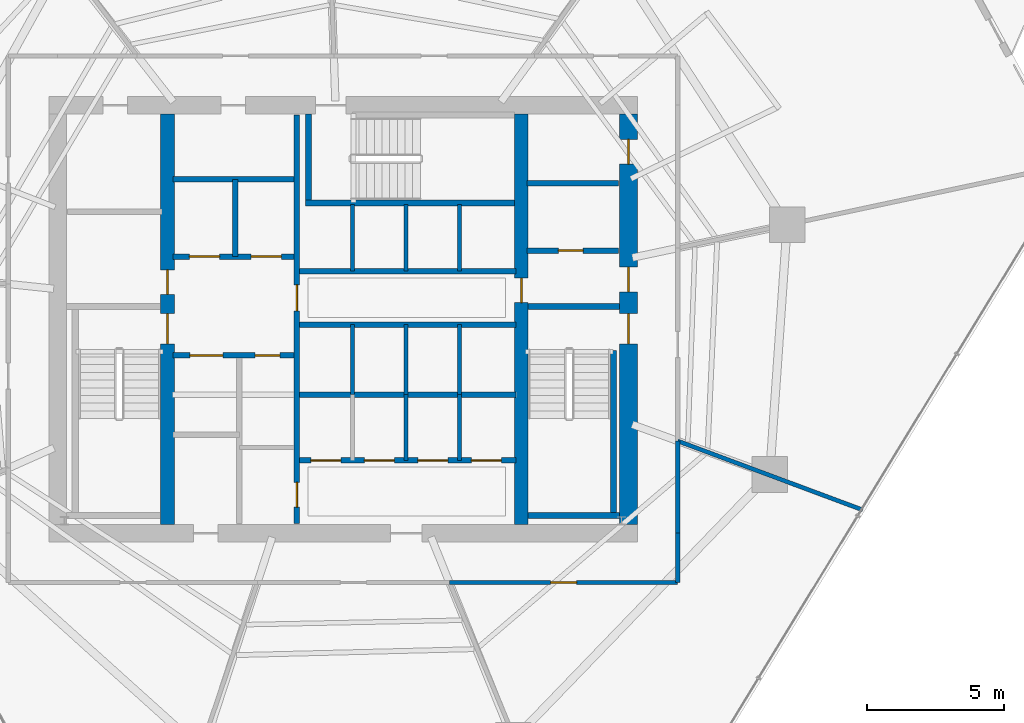
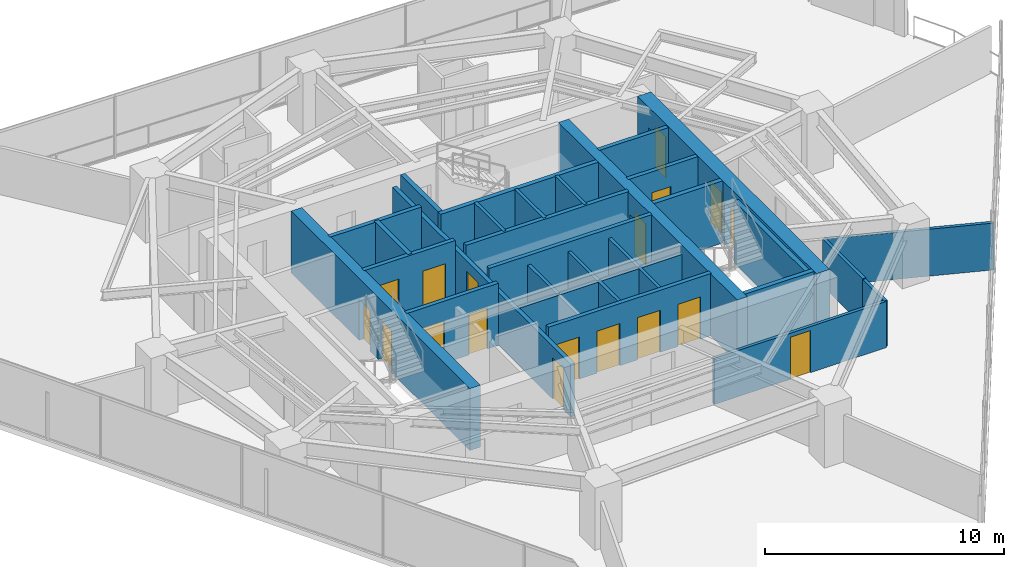
# One storey, part 24 of 30: 31 walls, 18 doors, 18 openings.
"""IFC4 building model written with IfcOpenShell, lengths in metres."""

from ifc_helpers import new_model, si_unit, direction, frame, frame_2d, origin, place, context, subcontext, project, spatial, rectangle, extrude, material, layer, layer_set, type_object, element, fill, save


model = new_model("IFC4")

# Units and contexts
model_context = context("Model", 3, precision=1e-05, world=origin(), true_north=direction((0.0, 1.0)))
body_context = subcontext(model_context, "Body", "Model", "MODEL_VIEW")
ifc_project = project(units=[si_unit("LENGTHUNIT", "METRE"), si_unit("AREAUNIT", "SQUARE_METRE"), si_unit("VOLUMEUNIT", "CUBIC_METRE"), si_unit("PLANEANGLEUNIT", "RADIAN"), si_unit("MASSUNIT", "GRAM", prefix="KILO")], contexts=[model_context])

# Site, building, storey
site_placement = place(None, origin())
site = spatial("IfcSite", under=ifc_project, at=site_placement, CompositionType="ELEMENT")
building_placement = place(site_placement, origin())
building = spatial("IfcBuilding", under=site, at=building_placement, Name="Qarnah Convention Tower", CompositionType="ELEMENT")
storey_placement = place(building_placement, frame((0.0, 0.0, 61.5)))
storey = spatial("IfcBuildingStorey", under=building, at=storey_placement, Name="L15", CompositionType="ELEMENT", Elevation=61.5)

# Wall, openings, doors
ifc_material_1 = material(Name="Concrete C60/75", Category="concrete")
ifc_layer_1 = layer(ifc_material_1, 0.64990234375)
ifc_layer_set_1 = layer_set([ifc_layer_1], Name="Concrete C60/75")
wall_type_1 = type_object("IfcWallType", Name="WL-CORE-650", PredefinedType="SHEAR", material=ifc_layer_set_1)
wall_1_placement = place(storey_placement, frame((47.60009765625, 18.925048828125, 0.0), z_axis=(0.0, 0.0, 1.0), x_axis=(0.0, 1.0, 0.0)))
wall_1 = element("IfcWall", 1, at=wall_1_placement, inside=storey, type_object=wall_type_1, Name="L15 core east shear wall", PredefinedType="SHEAR", context=body_context, shape_type="SweptSolid", body=[
    extrude(rectangle(XDim=14.949951171875, YDim=0.64990234375, at=frame_2d((7.47509765625, 0.0))), origin(), (0.0, 0.0, 1.0), 3.169921875),
])
opening_1_placement = place(wall_1_placement, frame((6.574951171875, 0.0, 0.0)))
opening_1 = element("IfcOpeningElement", 2, at=opening_1_placement, cuts=wall_1, Name="Opening D-1502", PredefinedType="OPENING", context=body_context, shape_type="SweptSolid", body=[
    extrude(rectangle(XDim=1.10009765625, YDim=2.14990234375, at=frame_2d((0.550048828125, 1.074951171875))), frame((0.0, 0.3349609375, 0.0), z_axis=(0.0, -1.0, 0.0), x_axis=(1.0, 0.0, 0.0)), (0.0, 0.0, 1.0), 0.669921875),
])
opening_2_placement = place(wall_1_placement, frame((8.47509765625, 0.0, 0.0)))
opening_2 = element("IfcOpeningElement", 3, at=opening_2_placement, cuts=wall_1, Name="Opening D-1506", PredefinedType="OPENING", context=body_context, shape_type="SweptSolid", body=[
    extrude(rectangle(XDim=0.89990234375, YDim=2.10009765625, at=frame_2d((0.449951171875, 1.050048828125))), frame((0.0, 0.3349609375, 0.0), z_axis=(0.0, -1.0, 0.0), x_axis=(1.0, 0.0, 0.0)), (0.0, 0.0, 1.0), 0.669921875),
])
opening_3_placement = place(wall_1_placement, frame((13.125, 0.0, 0.0)))
opening_3 = element("IfcOpeningElement", 4, at=opening_3_placement, cuts=wall_1, Name="Opening D-1512", PredefinedType="OPENING", context=body_context, shape_type="SweptSolid", body=[
    extrude(rectangle(XDim=0.89990234375, YDim=2.10009765625, at=frame_2d((0.449951171875, 1.050048828125))), frame((0.0, 0.3349609375, 0.0), z_axis=(0.0, -1.0, 0.0), x_axis=(1.0, 0.0, 0.0)), (0.0, 0.0, 1.0), 0.669921875),
])
ifc_material_2 = material(Name="Structural steel S355JR", Category="steel")
door_type_1 = type_object("IfcDoorType", Name="DT-RISER-900", OperationType="NOTDEFINED", PredefinedType="DOOR", material=ifc_material_2)
door_1_placement = place(opening_2_placement, origin())
door_1 = element("IfcDoor", 5, at=door_1_placement, inside=storey, type_object=door_type_1, Name="Door D-1506", OperationType="SINGLE_SWING_RIGHT", OverallHeight=2.10009765625, OverallWidth=0.89990234375, PredefinedType="DOOR", context=body_context, shape_type="SweptSolid", body=[
    extrude(rectangle(XDim=0.89990234375, YDim=2.10009765625, at=frame_2d((0.449951171875, 1.050048828125))), frame((0.0, 0.02490234375, 0.0), z_axis=(0.0, -1.0, 0.0), x_axis=(1.0, 0.0, 0.0)), (0.0, 0.0, 1.0), 0.050048828125),
])
fill(opening_2, door_1)
door_2_placement = place(opening_3_placement, origin())
door_2 = element("IfcDoor", 6, at=door_2_placement, inside=storey, type_object=door_type_1, Name="Door D-1512", OperationType="SINGLE_SWING_RIGHT", OverallHeight=2.10009765625, OverallWidth=0.89990234375, PredefinedType="DOOR", context=body_context, shape_type="SweptSolid", body=[
    extrude(rectangle(XDim=0.89990234375, YDim=2.10009765625, at=frame_2d((0.449951171875, 1.050048828125))), frame((0.0, 0.02490234375, 0.0), z_axis=(0.0, -1.0, 0.0), x_axis=(1.0, 0.0, 0.0)), (0.0, 0.0, 1.0), 0.050048828125),
])
fill(opening_3, door_2)
door_type_2 = type_object("IfcDoorType", Name="DT-STAIR-1100", OperationType="NOTDEFINED", PredefinedType="DOOR", material=ifc_material_2)
door_3_placement = place(opening_1_placement, origin())
door_3 = element("IfcDoor", 7, at=door_3_placement, inside=storey, type_object=door_type_2, Name="Door D-1502", OperationType="SINGLE_SWING_RIGHT", OverallHeight=2.14990234375, OverallWidth=1.10009765625, PredefinedType="DOOR", context=body_context, shape_type="SweptSolid", body=[
    extrude(rectangle(XDim=1.10009765625, YDim=2.14990234375, at=frame_2d((0.550048828125, 1.074951171875))), frame((0.0, 0.02490234375, 0.0), z_axis=(0.0, -1.0, 0.0), x_axis=(1.0, 0.0, 0.0)), (0.0, 0.0, 1.0), 0.050048828125),
])
fill(opening_1, door_3)

ifc_layer_2 = layer(ifc_material_1, 0.5)
ifc_layer_set_2 = layer_set([ifc_layer_2], Name="Concrete C60/75")
wall_type_2 = type_object("IfcWallType", Name="WL-CORE-INT-400", PredefinedType="SHEAR", material=ifc_layer_set_2)
wall_2_placement = place(storey_placement, frame((30.800048828125, 18.925048828125, 0.0), z_axis=(0.0, 0.0, 1.0), x_axis=(0.0, 1.0, 0.0)))
wall_2 = element("IfcWall", 8, at=wall_2_placement, inside=storey, type_object=wall_type_2, Name="L15 core west spine shear wall", PredefinedType="SHEAR", context=body_context, shape_type="SweptSolid", body=[
    extrude(rectangle(XDim=14.949951171875, YDim=0.5, at=frame_2d((7.47509765625, 0.0))), origin(), (0.0, 0.0, 1.0), 3.169921875),
])
opening_4_placement = place(wall_2_placement, frame((6.574951171875, 0.0, 0.0)))
opening_4 = element("IfcOpeningElement", 9, at=opening_4_placement, cuts=wall_2, Name="Opening D-1501", PredefinedType="OPENING", context=body_context, shape_type="SweptSolid", body=[
    extrude(rectangle(XDim=1.10009765625, YDim=2.14990234375, at=frame_2d((0.550048828125, 1.074951171875))), frame((0.0, 0.260009765625, 0.0), z_axis=(0.0, -1.0, 0.0), x_axis=(1.0, 0.0, 0.0)), (0.0, 0.0, 1.0), 0.52001953125),
])
opening_5_placement = place(wall_2_placement, frame((8.375, 0.0, 0.0)))
opening_5 = element("IfcOpeningElement", 10, at=opening_5_placement, cuts=wall_2, Name="Opening D-1508", PredefinedType="OPENING", context=body_context, shape_type="SweptSolid", body=[
    extrude(rectangle(XDim=0.89990234375, YDim=2.10009765625, at=frame_2d((0.449951171875, 1.050048828125))), frame((0.0, 0.260009765625, 0.0), z_axis=(0.0, -1.0, 0.0), x_axis=(1.0, 0.0, 0.0)), (0.0, 0.0, 1.0), 0.52001953125),
])
door_4_placement = place(opening_5_placement, origin())
door_4 = element("IfcDoor", 11, at=door_4_placement, inside=storey, type_object=door_type_1, Name="Door D-1508", OperationType="SINGLE_SWING_RIGHT", OverallHeight=2.10009765625, OverallWidth=0.89990234375, PredefinedType="DOOR", context=body_context, shape_type="SweptSolid", body=[
    extrude(rectangle(XDim=0.89990234375, YDim=2.10009765625, at=frame_2d((0.449951171875, 1.050048828125))), frame((0.0, 0.02490234375, 0.0), z_axis=(0.0, -1.0, 0.0), x_axis=(1.0, 0.0, 0.0)), (0.0, 0.0, 1.0), 0.050048828125),
])
fill(opening_5, door_4)
door_5_placement = place(opening_4_placement, origin())
door_5 = element("IfcDoor", 12, at=door_5_placement, inside=storey, type_object=door_type_2, Name="Door D-1501", OperationType="SINGLE_SWING_LEFT", OverallHeight=2.14990234375, OverallWidth=1.10009765625, PredefinedType="DOOR", context=body_context, shape_type="SweptSolid", body=[
    extrude(rectangle(XDim=1.10009765625, YDim=2.14990234375, at=frame_2d((0.550048828125, 1.074951171875))), frame((0.0, 0.02490234375, 0.0), z_axis=(0.0, -1.0, 0.0), x_axis=(1.0, 0.0, 0.0)), (0.0, 0.0, 1.0), 0.050048828125),
])
fill(opening_4, door_5)

# Wall, opening, door
wall_3_placement = place(storey_placement, frame((43.699951171875, 18.925048828125, 0.0), z_axis=(0.0, 0.0, 1.0), x_axis=(0.0, 1.0, 0.0)))
wall_3 = element("IfcWall", 13, at=wall_3_placement, inside=storey, type_object=wall_type_2, Name="L15 core east spine shear wall", PredefinedType="SHEAR", context=body_context, shape_type="SweptSolid", body=[
    extrude(rectangle(XDim=14.949951171875, YDim=0.5, at=frame_2d((7.47509765625, 0.0))), origin(), (0.0, 0.0, 1.0), 3.169921875),
])
opening_6_placement = place(wall_3_placement, frame((8.074951171875, 0.0, 0.0)))
opening_6 = element("IfcOpeningElement", 14, at=opening_6_placement, cuts=wall_3, Name="Opening D-1505", PredefinedType="OPENING", context=body_context, shape_type="SweptSolid", body=[
    extrude(rectangle(XDim=0.89990234375, YDim=2.10009765625, at=frame_2d((0.449951171875, 1.050048828125))), frame((0.0, 0.260009765625, 0.0), z_axis=(0.0, -1.0, 0.0), x_axis=(1.0, 0.0, 0.0)), (0.0, 0.0, 1.0), 0.52001953125),
])
door_6_placement = place(opening_6_placement, origin())
door_6 = element("IfcDoor", 15, at=door_6_placement, inside=storey, type_object=door_type_1, Name="Door D-1505", OperationType="SINGLE_SWING_LEFT", OverallHeight=2.10009765625, OverallWidth=0.89990234375, PredefinedType="DOOR", context=body_context, shape_type="SweptSolid", body=[
    extrude(rectangle(XDim=0.89990234375, YDim=2.10009765625, at=frame_2d((0.449951171875, 1.050048828125))), frame((0.0, 0.02490234375, 0.0), z_axis=(0.0, -1.0, 0.0), x_axis=(1.0, 0.0, 0.0)), (0.0, 0.0, 1.0), 0.050048828125),
])
fill(opening_6, door_6)

ifc_material_3 = material(Name="Concrete C45/55", Category="concrete")
ifc_layer_3 = layer(ifc_material_3, 0.199951171875)
ifc_layer_set_3 = layer_set([ifc_layer_3], Name="Concrete C45/55")
wall_type_3 = type_object("IfcWallType", Name="WL-CORE-PART-200", PredefinedType="SOLIDWALL", material=ifc_layer_set_3)
wall_4_placement = place(storey_placement, frame((43.89990234375, 28.89990234375, 0.0), z_axis=(0.0, 0.0, 1.0), x_axis=(1.0, 0.0, 0.0)))
wall_4 = element("IfcWall", 16, at=wall_4_placement, inside=storey, type_object=wall_type_3, Name="L15 interior wall IW-L15-EVSTN", PredefinedType="SOLIDWALL", context=body_context, shape_type="SweptSolid", body=[
    extrude(rectangle(XDim=3.35009765625, YDim=0.199951171875, at=frame_2d((1.675048828125, 0.0))), origin(), (0.0, 0.0, 1.0), 3.169921875),
])
opening_7_placement = place(wall_4_placement, frame((1.14990234375, 0.0, 0.0)))
opening_7 = element("IfcOpeningElement", 17, at=opening_7_placement, cuts=wall_4, Name="Opening D-1511", PredefinedType="OPENING", context=body_context, shape_type="SweptSolid", body=[
    extrude(rectangle(XDim=0.89990234375, YDim=2.10009765625, at=frame_2d((0.449951171875, 1.050048828125))), frame((0.0, 0.10986328125, 0.0), z_axis=(0.0, -1.0, 0.0), x_axis=(1.0, 0.0, 0.0)), (0.0, 0.0, 1.0), 0.219970703125),
])
door_7_placement = place(opening_7_placement, origin())
door_7 = element("IfcDoor", 18, at=door_7_placement, inside=storey, type_object=door_type_1, Name="Door D-1511", OperationType="SINGLE_SWING_LEFT", OverallHeight=2.10009765625, OverallWidth=0.89990234375, PredefinedType="DOOR", context=body_context, shape_type="SweptSolid", body=[
    extrude(rectangle(XDim=0.89990234375, YDim=2.10009765625, at=frame_2d((0.449951171875, 1.050048828125))), frame((0.0, 0.02490234375, 0.0), z_axis=(0.0, -1.0, 0.0), x_axis=(1.0, 0.0, 0.0)), (0.0, 0.0, 1.0), 0.050048828125),
])
fill(opening_7, door_7)

# Wall
wall_5_placement = place(storey_placement, frame((43.89990234375, 31.35009765625, 0.0), z_axis=(0.0, 0.0, 1.0), x_axis=(1.0, 0.0, 0.0)))
element("IfcWall", 19, at=wall_5_placement, inside=storey, type_object=wall_type_3, Name="L15 interior wall IW-L15-WTRN", PredefinedType="SOLIDWALL", context=body_context, shape_type="SweptSolid", body=[
    extrude(rectangle(XDim=3.35009765625, YDim=0.199951171875, at=frame_2d((1.675048828125, 0.0))), origin(), (0.0, 0.0, 1.0), 3.169921875),
])

# Wall, openings, doors
wall_6_placement = place(storey_placement, frame((35.52001953125, 18.949951171875, 0.0), z_axis=(0.0, 0.0, 1.0), x_axis=(0.0, 1.0, 0.0)))
wall_6 = element("IfcWall", 20, at=wall_6_placement, inside=storey, type_object=wall_type_3, Name="L15 interior wall IW-L15-CSP", PredefinedType="SOLIDWALL", context=body_context, shape_type="SweptSolid", body=[
    extrude(rectangle(XDim=14.900146484375, YDim=0.199951171875, at=frame_2d((7.4501953125, 0.0))), origin(), (0.0, 0.0, 1.0), 2.69091796875),
])
opening_8_placement = place(wall_6_placement, frame((7.7548828125, 0.0, 0.0)))
opening_8 = element("IfcOpeningElement", 21, at=opening_8_placement, cuts=wall_6, Name="Opening D-1504", PredefinedType="OPENING", context=body_context, shape_type="SweptSolid", body=[
    extrude(rectangle(XDim=0.949951171875, YDim=2.14990234375, at=frame_2d((0.47509765625, 1.074951171875))), frame((0.0, 0.10986328125, 0.0), z_axis=(0.0, -1.0, 0.0), x_axis=(1.0, 0.0, 0.0)), (0.0, 0.0, 1.0), 0.219970703125),
])
opening_9_placement = place(wall_6_placement, frame((0.60009765625, 0.0, 0.0)))
opening_9 = element("IfcOpeningElement", 22, at=opening_9_placement, cuts=wall_6, Name="Opening D-1514", PredefinedType="OPENING", context=body_context, shape_type="SweptSolid", body=[
    extrude(rectangle(XDim=0.89990234375, YDim=2.10009765625, at=frame_2d((0.449951171875, 1.050048828125))), frame((0.0, 0.10986328125, 0.0), z_axis=(0.0, -1.0, 0.0), x_axis=(1.0, 0.0, 0.0)), (0.0, 0.0, 1.0), 0.219970703125),
])
ifc_material_4 = material(Name="Oak timber veneer", Category="wood")
door_type_3 = type_object("IfcDoorType", Name="DT-HOTEL-950", OperationType="NOTDEFINED", PredefinedType="DOOR", material=ifc_material_4)
door_8_placement = place(opening_8_placement, origin())
door_8 = element("IfcDoor", 23, at=door_8_placement, inside=storey, type_object=door_type_3, Name="Door D-1504", OperationType="SINGLE_SWING_RIGHT", OverallHeight=2.14990234375, OverallWidth=0.949951171875, PredefinedType="DOOR", context=body_context, shape_type="SweptSolid", body=[
    extrude(rectangle(XDim=0.949951171875, YDim=2.14990234375, at=frame_2d((0.47509765625, 1.074951171875))), frame((0.0, 0.02490234375, 0.0), z_axis=(0.0, -1.0, 0.0), x_axis=(1.0, 0.0, 0.0)), (0.0, 0.0, 1.0), 0.050048828125),
])
fill(opening_8, door_8)
door_9_placement = place(opening_9_placement, origin())
door_9 = element("IfcDoor", 24, at=door_9_placement, inside=storey, type_object=door_type_1, Name="Door D-1514", OperationType="SINGLE_SWING_RIGHT", OverallHeight=2.10009765625, OverallWidth=0.89990234375, PredefinedType="DOOR", context=body_context, shape_type="SweptSolid", body=[
    extrude(rectangle(XDim=0.89990234375, YDim=2.10009765625, at=frame_2d((0.449951171875, 1.050048828125))), frame((0.0, 0.02490234375, 0.0), z_axis=(0.0, -1.0, 0.0), x_axis=(1.0, 0.0, 0.0)), (0.0, 0.0, 1.0), 0.050048828125),
])
fill(opening_9, door_9)

wall_7_placement = place(storey_placement, frame((31.0, 28.679931640625, 0.0), z_axis=(0.0, 0.0, 1.0), x_axis=(1.0, 0.0, 0.0)))
wall_7 = element("IfcWall", 25, at=wall_7_placement, inside=storey, type_object=wall_type_3, Name="L15 interior wall IW-L15-FFLS", PredefinedType="SOLIDWALL", context=body_context, shape_type="SweptSolid", body=[
    extrude(rectangle(XDim=4.419921875, YDim=0.199951171875, at=frame_2d((2.2099609375, 0.0))), origin(), (0.0, 0.0, 1.0), 3.169921875),
])
opening_10_placement = place(wall_7_placement, frame((0.60009765625, 0.0, 0.0)))
opening_10 = element("IfcOpeningElement", 26, at=opening_10_placement, cuts=wall_7, Name="Opening LD-1501", PredefinedType="OPENING", context=body_context, shape_type="SweptSolid", body=[
    extrude(rectangle(XDim=1.10009765625, YDim=2.14990234375, at=frame_2d((0.550048828125, 1.074951171875))), frame((0.0, 0.10986328125, 0.0), z_axis=(0.0, -1.0, 0.0), x_axis=(1.0, 0.0, 0.0)), (0.0, 0.0, 1.0), 0.219970703125),
])
opening_11_placement = place(wall_7_placement, frame((2.85009765625, 0.0, 0.0)))
opening_11 = element("IfcOpeningElement", 27, at=opening_11_placement, cuts=wall_7, Name="Opening LD-1502", PredefinedType="OPENING", context=body_context, shape_type="SweptSolid", body=[
    extrude(rectangle(XDim=1.10009765625, YDim=2.14990234375, at=frame_2d((0.550048828125, 1.074951171875))), frame((0.0, 0.10986328125, 0.0), z_axis=(0.0, -1.0, 0.0), x_axis=(1.0, 0.0, 0.0)), (0.0, 0.0, 1.0), 0.219970703125),
])
door_type_4 = type_object("IfcDoorType", Name="DT-LIFT-1100", OperationType="SLIDING_TO_LEFT", PredefinedType="DOOR", material=ifc_material_2)
door_10_placement = place(opening_10_placement, origin())
door_10 = element("IfcDoor", 28, at=door_10_placement, inside=storey, type_object=door_type_4, Name="Door LD-1501", OperationType="SLIDING_TO_LEFT", OverallHeight=2.14990234375, OverallWidth=1.10009765625, PredefinedType="DOOR", context=body_context, shape_type="SweptSolid", body=[
    extrude(rectangle(XDim=1.10009765625, YDim=2.14990234375, at=frame_2d((0.550048828125, 1.074951171875))), frame((0.0, 0.02490234375, 0.0), z_axis=(0.0, -1.0, 0.0), x_axis=(1.0, 0.0, 0.0)), (0.0, 0.0, 1.0), 0.050048828125),
])
fill(opening_10, door_10)
door_11_placement = place(opening_11_placement, origin())
door_11 = element("IfcDoor", 29, at=door_11_placement, inside=storey, type_object=door_type_4, Name="Door LD-1502", OperationType="SLIDING_TO_LEFT", OverallHeight=2.14990234375, OverallWidth=1.10009765625, PredefinedType="DOOR", context=body_context, shape_type="SweptSolid", body=[
    extrude(rectangle(XDim=1.10009765625, YDim=2.14990234375, at=frame_2d((0.550048828125, 1.074951171875))), frame((0.0, 0.02490234375, 0.0), z_axis=(0.0, -1.0, 0.0), x_axis=(1.0, 0.0, 0.0)), (0.0, 0.0, 1.0), 0.050048828125),
])
fill(opening_11, door_11)

# Walls
wall_8_placement = place(storey_placement, frame((31.0, 31.5, 0.0), z_axis=(0.0, 0.0, 1.0), x_axis=(1.0, 0.0, 0.0)))
element("IfcWall", 30, at=wall_8_placement, inside=storey, type_object=wall_type_3, Name="L15 interior wall IW-L15-FFLN", PredefinedType="SOLIDWALL", context=body_context, shape_type="SweptSolid", body=[
    extrude(rectangle(XDim=4.419921875, YDim=0.199951171875, at=frame_2d((2.2099609375, 0.0))), origin(), (0.0, 0.0, 1.0), 3.169921875),
])
wall_9_placement = place(storey_placement, frame((33.280029296875, 28.679931640625, 0.0), z_axis=(0.0, 0.0, 1.0), x_axis=(0.0, 1.0, 0.0)))
element("IfcWall", 31, at=wall_9_placement, inside=storey, type_object=wall_type_3, Name="L15 interior wall IW-L15-FFLM", PredefinedType="SOLIDWALL", context=body_context, shape_type="SweptSolid", body=[
    extrude(rectangle(XDim=2.820068359375, YDim=0.199951171875, at=frame_2d((1.41015625, 0.0))), origin(), (0.0, 0.0, 1.0), 3.169921875),
])

# Wall, openings, doors
wall_10_placement = place(storey_placement, frame((31.0, 25.080078125, 0.0), z_axis=(0.0, 0.0, 1.0), x_axis=(1.0, 0.0, 0.0)))
wall_10 = element("IfcWall", 32, at=wall_10_placement, inside=storey, type_object=wall_type_3, Name="L15 interior wall IW-L15-FFLBS", PredefinedType="SOLIDWALL", context=body_context, shape_type="SweptSolid", body=[
    extrude(rectangle(XDim=4.419921875, YDim=0.199951171875, at=frame_2d((2.2099609375, 0.0))), origin(), (0.0, 0.0, 1.0), 3.169921875),
])
opening_12_placement = place(wall_10_placement, frame((3.0, 0.0, 0.0)))
opening_12 = element("IfcOpeningElement", 33, at=opening_12_placement, cuts=wall_10, Name="Opening D-1515", PredefinedType="OPENING", context=body_context, shape_type="SweptSolid", body=[
    extrude(rectangle(XDim=0.89990234375, YDim=2.10009765625, at=frame_2d((0.449951171875, 1.050048828125))), frame((0.0, 0.10986328125, 0.0), z_axis=(0.0, -1.0, 0.0), x_axis=(1.0, 0.0, 0.0)), (0.0, 0.0, 1.0), 0.219970703125),
])
opening_13_placement = place(wall_10_placement, frame((0.6201171875, 0.0, 0.0)))
opening_13 = element("IfcOpeningElement", 34, at=opening_13_placement, cuts=wall_10, Name="Opening LD-1503", PredefinedType="OPENING", context=body_context, shape_type="SweptSolid", body=[
    extrude(rectangle(XDim=1.199951171875, YDim=2.14990234375, at=frame_2d((0.60009765625, 1.074951171875))), frame((0.0, 0.10986328125, 0.0), z_axis=(0.0, -1.0, 0.0), x_axis=(1.0, 0.0, 0.0)), (0.0, 0.0, 1.0), 0.219970703125),
])
door_type_5 = type_object("IfcDoorType", Name="DT-LIFT-1200", OperationType="SLIDING_TO_LEFT", PredefinedType="DOOR", material=ifc_material_2)
door_12_placement = place(opening_13_placement, origin())
door_12 = element("IfcDoor", 35, at=door_12_placement, inside=storey, type_object=door_type_5, Name="Door LD-1503", OperationType="SLIDING_TO_LEFT", OverallHeight=2.14990234375, OverallWidth=1.199951171875, PredefinedType="DOOR", context=body_context, shape_type="SweptSolid", body=[
    extrude(rectangle(XDim=1.199951171875, YDim=2.14990234375, at=frame_2d((0.60009765625, 1.074951171875))), frame((0.0, 0.02490234375, 0.0), z_axis=(0.0, -1.0, 0.0), x_axis=(1.0, 0.0, 0.0)), (0.0, 0.0, 1.0), 0.050048828125),
])
fill(opening_13, door_12)
door_13_placement = place(opening_12_placement, origin())
door_13 = element("IfcDoor", 36, at=door_13_placement, inside=storey, type_object=door_type_1, Name="Door D-1515", OperationType="SINGLE_SWING_LEFT", OverallHeight=2.10009765625, OverallWidth=0.89990234375, PredefinedType="DOOR", context=body_context, shape_type="SweptSolid", body=[
    extrude(rectangle(XDim=0.89990234375, YDim=2.10009765625, at=frame_2d((0.449951171875, 1.050048828125))), frame((0.0, 0.02490234375, 0.0), z_axis=(0.0, -1.0, 0.0), x_axis=(1.0, 0.0, 0.0)), (0.0, 0.0, 1.0), 0.050048828125),
])
fill(opening_12, door_13)

# Walls
for number, where, z_axis, x_axis, name in (
    (37, (35.6201171875, 28.14990234375, 0.0), (0.0, 0.0, 1.0), (1.0, 0.0, 0.0), "L15 interior wall IW-L15-PHS"),
    (38, (35.6201171875, 26.199951171875, 0.0), (0.0, 0.0, 1.0), (1.0, 0.0, 0.0), "L15 interior wall IW-L15-PMN"),
):
    element("IfcWall", number, at=place(storey_placement, frame(where, z_axis=z_axis, x_axis=x_axis)), inside=storey, type_object=wall_type_3, Name=name, PredefinedType="SOLIDWALL", context=body_context, shape_type="SweptSolid", body=[
        extrude(rectangle(XDim=7.8798828125, YDim=0.199951171875, at=frame_2d((3.93994140625, 0.0))), origin(), (0.0, 0.0, 1.0), 3.169921875),
    ])
wall_11_placement = place(storey_placement, frame((35.6201171875, 23.64990234375, 0.0), z_axis=(0.0, 0.0, 1.0), x_axis=(1.0, 0.0, 0.0)))
element("IfcWall", 39, at=wall_11_placement, inside=storey, type_object=wall_type_3, Name="L15 interior wall IW-L15-PMPL", PredefinedType="SOLIDWALL", context=body_context, shape_type="SweptSolid", body=[
    extrude(rectangle(XDim=7.8798828125, YDim=0.199951171875, at=frame_2d((3.93994140625, 0.0))), origin(), (0.0, 0.0, 1.0), 2.69091796875),
])

# Wall, openings, doors
wall_12_placement = place(storey_placement, frame((35.6201171875, 21.25, 0.0), z_axis=(0.0, 0.0, 1.0), x_axis=(1.0, 0.0, 0.0)))
wall_12 = element("IfcWall", 40, at=wall_12_placement, inside=storey, type_object=wall_type_3, Name="L15 interior wall IW-L15-PLS", PredefinedType="SOLIDWALL", context=body_context, shape_type="SweptSolid", body=[
    extrude(rectangle(XDim=7.8798828125, YDim=0.199951171875, at=frame_2d((3.93994140625, 0.0))), origin(), (0.0, 0.0, 1.0), 3.169921875),
])
opening_14_placement = place(wall_12_placement, frame((0.405029296875, 0.0, 0.0)))
opening_14 = element("IfcOpeningElement", 41, at=opening_14_placement, cuts=wall_12, Name="Opening LD-1504", PredefinedType="OPENING", context=body_context, shape_type="SweptSolid", body=[
    extrude(rectangle(XDim=1.10009765625, YDim=2.14990234375, at=frame_2d((0.550048828125, 1.074951171875))), frame((0.0, 0.10986328125, 0.0), z_axis=(0.0, -1.0, 0.0), x_axis=(1.0, 0.0, 0.0)), (0.0, 0.0, 1.0), 0.219970703125),
])
opening_15_placement = place(wall_12_placement, frame((2.35498046875, 0.0, 0.0)))
opening_15 = element("IfcOpeningElement", 42, at=opening_15_placement, cuts=wall_12, Name="Opening LD-1505", PredefinedType="OPENING", context=body_context, shape_type="SweptSolid", body=[
    extrude(rectangle(XDim=1.10009765625, YDim=2.14990234375, at=frame_2d((0.550048828125, 1.074951171875))), frame((0.0, 0.10986328125, 0.0), z_axis=(0.0, -1.0, 0.0), x_axis=(1.0, 0.0, 0.0)), (0.0, 0.0, 1.0), 0.219970703125),
])
opening_16_placement = place(wall_12_placement, frame((4.304931640625, 0.0, 0.0)))
opening_16 = element("IfcOpeningElement", 43, at=opening_16_placement, cuts=wall_12, Name="Opening LD-1506", PredefinedType="OPENING", context=body_context, shape_type="SweptSolid", body=[
    extrude(rectangle(XDim=1.10009765625, YDim=2.14990234375, at=frame_2d((0.550048828125, 1.074951171875))), frame((0.0, 0.10986328125, 0.0), z_axis=(0.0, -1.0, 0.0), x_axis=(1.0, 0.0, 0.0)), (0.0, 0.0, 1.0), 0.219970703125),
])
opening_17_placement = place(wall_12_placement, frame((6.2548828125, 0.0, 0.0)))
opening_17 = element("IfcOpeningElement", 44, at=opening_17_placement, cuts=wall_12, Name="Opening LD-1507", PredefinedType="OPENING", context=body_context, shape_type="SweptSolid", body=[
    extrude(rectangle(XDim=1.10009765625, YDim=2.14990234375, at=frame_2d((0.550048828125, 1.074951171875))), frame((0.0, 0.10986328125, 0.0), z_axis=(0.0, -1.0, 0.0), x_axis=(1.0, 0.0, 0.0)), (0.0, 0.0, 1.0), 0.219970703125),
])
door_14_placement = place(opening_14_placement, origin())
door_14 = element("IfcDoor", 45, at=door_14_placement, inside=storey, type_object=door_type_4, Name="Door LD-1504", OperationType="SLIDING_TO_LEFT", OverallHeight=2.14990234375, OverallWidth=1.10009765625, PredefinedType="DOOR", context=body_context, shape_type="SweptSolid", body=[
    extrude(rectangle(XDim=1.10009765625, YDim=2.14990234375, at=frame_2d((0.550048828125, 1.074951171875))), frame((0.0, 0.02490234375, 0.0), z_axis=(0.0, -1.0, 0.0), x_axis=(1.0, 0.0, 0.0)), (0.0, 0.0, 1.0), 0.050048828125),
])
fill(opening_14, door_14)
door_15_placement = place(opening_15_placement, origin())
door_15 = element("IfcDoor", 46, at=door_15_placement, inside=storey, type_object=door_type_4, Name="Door LD-1505", OperationType="SLIDING_TO_LEFT", OverallHeight=2.14990234375, OverallWidth=1.10009765625, PredefinedType="DOOR", context=body_context, shape_type="SweptSolid", body=[
    extrude(rectangle(XDim=1.10009765625, YDim=2.14990234375, at=frame_2d((0.550048828125, 1.074951171875))), frame((0.0, 0.02490234375, 0.0), z_axis=(0.0, -1.0, 0.0), x_axis=(1.0, 0.0, 0.0)), (0.0, 0.0, 1.0), 0.050048828125),
])
fill(opening_15, door_15)
door_16_placement = place(opening_16_placement, origin())
door_16 = element("IfcDoor", 47, at=door_16_placement, inside=storey, type_object=door_type_4, Name="Door LD-1506", OperationType="SLIDING_TO_LEFT", OverallHeight=2.14990234375, OverallWidth=1.10009765625, PredefinedType="DOOR", context=body_context, shape_type="SweptSolid", body=[
    extrude(rectangle(XDim=1.10009765625, YDim=2.14990234375, at=frame_2d((0.550048828125, 1.074951171875))), frame((0.0, 0.02490234375, 0.0), z_axis=(0.0, -1.0, 0.0), x_axis=(1.0, 0.0, 0.0)), (0.0, 0.0, 1.0), 0.050048828125),
])
fill(opening_16, door_16)
door_17_placement = place(opening_17_placement, origin())
door_17 = element("IfcDoor", 48, at=door_17_placement, inside=storey, type_object=door_type_4, Name="Door LD-1507", OperationType="SLIDING_TO_LEFT", OverallHeight=2.14990234375, OverallWidth=1.10009765625, PredefinedType="DOOR", context=body_context, shape_type="SweptSolid", body=[
    extrude(rectangle(XDim=1.10009765625, YDim=2.14990234375, at=frame_2d((0.550048828125, 1.074951171875))), frame((0.0, 0.02490234375, 0.0), z_axis=(0.0, -1.0, 0.0), x_axis=(1.0, 0.0, 0.0)), (0.0, 0.0, 1.0), 0.050048828125),
])
fill(opening_17, door_17)

# Walls
ifc_layer_4 = layer(ifc_material_1, 0.219970703125)
ifc_layer_set_4 = layer_set([ifc_layer_4], Name="Concrete C60/75")
wall_type_4 = type_object("IfcWallType", Name="WL-CORE-STAIR-220", PredefinedType="SHEAR", material=ifc_layer_set_4)
wall_13_placement = place(storey_placement, frame((43.949951171875, 26.860107421875, 0.0), z_axis=(0.0, 0.0, 1.0), x_axis=(1.0, 0.0, 0.0)))
element("IfcWall", 49, at=wall_13_placement, inside=storey, type_object=wall_type_4, Name="L15 stair shaft shear wall SW-L15-ST2N", PredefinedType="SHEAR", context=body_context, shape_type="SweptSolid", body=[
    extrude(rectangle(XDim=3.324951171875, YDim=0.219970703125, at=frame_2d((1.66259765625, 0.0))), origin(), (0.0, 0.0, 1.0), 3.169921875),
])
wall_14_placement = place(storey_placement, frame((47.06005859375, 19.35009765625, 0.0), z_axis=(0.0, 0.0, 1.0), x_axis=(0.0, 1.0, 0.0)))
element("IfcWall", 50, at=wall_14_placement, inside=storey, type_object=wall_type_4, Name="L15 stair shaft shear wall SW-L15-ST2E", PredefinedType="SHEAR", context=body_context, shape_type="SweptSolid", body=[
    extrude(rectangle(XDim=5.89990234375, YDim=0.219970703125, at=frame_2d((2.949951171875, 0.0))), origin(), (0.0, 0.0, 1.0), 3.169921875),
])
wall_15_placement = place(storey_placement, frame((43.949951171875, 19.239990234375, 0.0), z_axis=(0.0, 0.0, 1.0), x_axis=(1.0, 0.0, 0.0)))
element("IfcWall", 51, at=wall_15_placement, inside=storey, type_object=wall_type_4, Name="L15 stair shaft shear wall SW-L15-ST2S", PredefinedType="SHEAR", context=body_context, shape_type="SweptSolid", body=[
    extrude(rectangle(XDim=3.324951171875, YDim=0.219970703125, at=frame_2d((1.66259765625, 0.0))), origin(), (0.0, 0.0, 1.0), 3.169921875),
])
wall_16_placement = place(storey_placement, frame((35.840087890625, 30.639892578125, 0.0), z_axis=(0.0, 0.0, 1.0), x_axis=(1.0, 0.0, 0.0)))
element("IfcWall", 52, at=wall_16_placement, inside=storey, type_object=wall_type_4, Name="L15 stair shaft shear wall SW-L15-ST3S", PredefinedType="SHEAR", context=body_context, shape_type="SweptSolid", body=[
    extrude(rectangle(XDim=7.60986328125, YDim=0.219970703125, at=frame_2d((3.804931640625, 0.0))), origin(), (0.0, 0.0, 1.0), 3.169921875),
])
wall_17_placement = place(storey_placement, frame((35.93994140625, 30.75, 0.0), z_axis=(0.0, 0.0, 1.0), x_axis=(0.0, 1.0, 0.0)))
element("IfcWall", 53, at=wall_17_placement, inside=storey, type_object=wall_type_4, Name="L15 stair shaft shear wall SW-L15-ST3W", PredefinedType="SHEAR", context=body_context, shape_type="SweptSolid", body=[
    extrude(rectangle(XDim=3.125, YDim=0.219970703125, at=frame_2d((1.5625, 0.0))), origin(), (0.0, 0.0, 1.0), 3.169921875),
])
ifc_material_5 = material(Name="Gypsum partition board")
ifc_layer_5 = layer(ifc_material_5, 0.14990234375)
ifc_layer_set_5 = layer_set([ifc_layer_5], Name="Gypsum partition board")
wall_type_5 = type_object("IfcWallType", Name="WL-SUITE-150", PredefinedType="PARTITIONING", material=ifc_layer_set_5)
for number, where, z_axis, x_axis, name in (
    (54, (37.550048828125, 28.14990234375, 0.0), (0.0, 0.0, 1.0), (0.0, 1.0, 0.0), "L15 interior wall IW-L15-PHD1"),
    (55, (39.5, 28.14990234375, 0.0), (0.0, 0.0, 1.0), (0.0, 1.0, 0.0), "L15 interior wall IW-L15-PHD2"),
    (56, (41.449951171875, 28.14990234375, 0.0), (0.0, 0.0, 1.0), (0.0, 1.0, 0.0), "L15 interior wall IW-L15-PHD3"),
):
    element("IfcWall", number, at=place(storey_placement, frame(where, z_axis=z_axis, x_axis=x_axis)), inside=storey, type_object=wall_type_5, Name=name, PredefinedType="PARTITIONING", context=body_context, shape_type="SweptSolid", body=[
        extrude(rectangle(XDim=2.43017578125, YDim=0.14990234375, at=frame_2d((1.215087890625, 0.0))), origin(), (0.0, 0.0, 1.0), 3.169921875),
    ])
for number, where, z_axis, x_axis, name in (
    (57, (37.550048828125, 23.64990234375, 0.0), (0.0, 0.0, 1.0), (0.0, 1.0, 0.0), "L15 interior wall IW-L15-PMD1"),
    (58, (39.5, 23.64990234375, 0.0), (0.0, 0.0, 1.0), (0.0, 1.0, 0.0), "L15 interior wall IW-L15-PMD2"),
    (59, (41.449951171875, 23.64990234375, 0.0), (0.0, 0.0, 1.0), (0.0, 1.0, 0.0), "L15 interior wall IW-L15-PMD3"),
):
    element("IfcWall", number, at=place(storey_placement, frame(where, z_axis=z_axis, x_axis=x_axis)), inside=storey, type_object=wall_type_5, Name=name, PredefinedType="PARTITIONING", context=body_context, shape_type="SweptSolid", body=[
        extrude(rectangle(XDim=2.550048828125, YDim=0.14990234375, at=frame_2d((1.27490234375, 0.0))), origin(), (0.0, 0.0, 1.0), 2.69091796875),
    ])
for number, where, z_axis, x_axis, name in (
    (60, (39.5, 21.25, 0.0), (0.0, 0.0, 1.0), (0.0, 1.0, 0.0), "L15 interior wall IW-L15-PLD2"),
    (61, (41.449951171875, 21.25, 0.0), (0.0, 0.0, 1.0), (0.0, 1.0, 0.0), "L15 interior wall IW-L15-PLD3"),
):
    element("IfcWall", number, at=place(storey_placement, frame(where, z_axis=z_axis, x_axis=x_axis)), inside=storey, type_object=wall_type_5, Name=name, PredefinedType="PARTITIONING", context=body_context, shape_type="SweptSolid", body=[
        extrude(rectangle(XDim=2.39990234375, YDim=0.14990234375, at=frame_2d((1.199951171875, 0.0))), origin(), (0.0, 0.0, 1.0), 2.69091796875),
    ])
wall_18_placement = place(storey_placement, frame((56.14208984375, 19.447021484375, 0.0), z_axis=(0.0, 0.0, 1.0), x_axis=(-0.937030085764, 0.349248648348, 0.0)))
element("IfcWall", 62, at=wall_18_placement, inside=storey, type_object=wall_type_5, Name="L15 interior wall IW-L15-R-30", PredefinedType="PARTITIONING", context=body_context, shape_type="SweptSolid", body=[
    extrude(rectangle(XDim=7.1953125, YDim=0.14990234375, at=frame_2d((3.59765625, 0.0))), origin(), (0.0, 0.0, 1.0), 2.39501953125),
])
wall_19_placement = place(storey_placement, frame((49.39990234375, 21.9599609375, 0.0), z_axis=(0.0, 0.0, 1.0), x_axis=(0.0, -1.0, 0.0)))
element("IfcWall", 63, at=wall_19_placement, inside=storey, type_object=wall_type_5, Name="L15 interior wall IW-L15-R-31", PredefinedType="PARTITIONING", context=body_context, shape_type="SweptSolid", body=[
    extrude(rectangle(XDim=3.35986328125, YDim=0.14990234375, at=frame_2d((1.679931640625, 0.0))), origin(), (0.0, 0.0, 1.0), 2.39501953125),
])
wall_20_placement = place(storey_placement, frame((49.39990234375, 18.60009765625, 0.0), z_axis=(0.0, 0.0, 1.0), x_axis=(0.0, -1.0, 0.0)))
element("IfcWall", 64, at=wall_20_placement, inside=storey, type_object=wall_type_5, Name="L15 interior wall IW-L15-R-32", PredefinedType="PARTITIONING", context=body_context, shape_type="SweptSolid", body=[
    extrude(rectangle(XDim=1.800048828125, YDim=0.14990234375, at=frame_2d((0.89990234375, 0.0))), origin(), (0.0, 0.0, 1.0), 2.35498046875),
])

# Wall, opening, door
wall_21_placement = place(storey_placement, frame((49.39990234375, 16.800048828125, 0.0), z_axis=(0.0, 0.0, 1.0), x_axis=(-1.0, 0.0, 0.0)))
wall_21 = element("IfcWall", 65, at=wall_21_placement, inside=storey, type_object=wall_type_5, Name="L15 interior wall IW-L15-R-33", PredefinedType="PARTITIONING", context=body_context, shape_type="SweptSolid", body=[
    extrude(rectangle(XDim=8.32080078125, YDim=0.14990234375, at=frame_2d((4.160400390625, 0.0))), origin(), (0.0, 0.0, 1.0), 2.35498046875),
])
opening_18_placement = place(wall_21_placement, frame((3.68505859375, 0.0, 0.0)))
opening_18 = element("IfcOpeningElement", 66, at=opening_18_placement, cuts=wall_21, Name="Opening D-1525", PredefinedType="OPENING", context=body_context, shape_type="SweptSolid", body=[
    extrude(rectangle(XDim=0.949951171875, YDim=2.14990234375, at=frame_2d((0.47509765625, 1.074951171875))), frame((0.0, 0.0849609375, 0.0), z_axis=(0.0, -1.0, 0.0), x_axis=(1.0, 0.0, 0.0)), (0.0, 0.0, 1.0), 0.169921875),
])
door_18_placement = place(opening_18_placement, origin())
door_18 = element("IfcDoor", 67, at=door_18_placement, inside=storey, type_object=door_type_3, Name="Door D-1525", OperationType="SINGLE_SWING_LEFT", OverallHeight=2.14990234375, OverallWidth=0.949951171875, PredefinedType="DOOR", context=body_context, shape_type="SweptSolid", body=[
    extrude(rectangle(XDim=0.949951171875, YDim=2.14990234375, at=frame_2d((0.47509765625, 1.074951171875))), frame((0.0, 0.02490234375, 0.0), z_axis=(0.0, -1.0, 0.0), x_axis=(1.0, 0.0, 0.0)), (0.0, 0.0, 1.0), 0.050048828125),
])
fill(opening_18, door_18)

save(model, "model.ifc")
